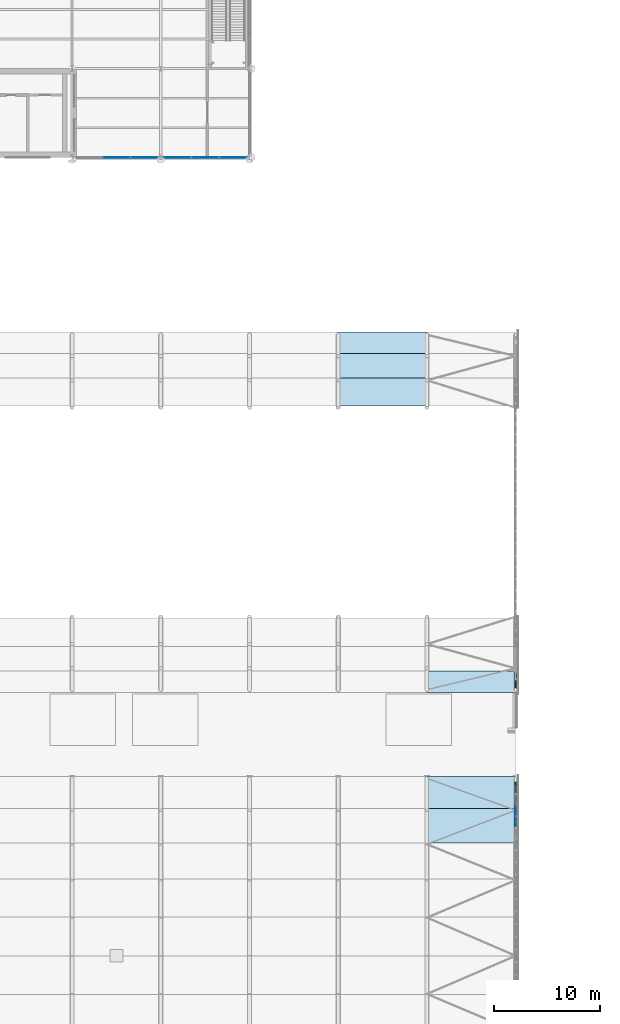
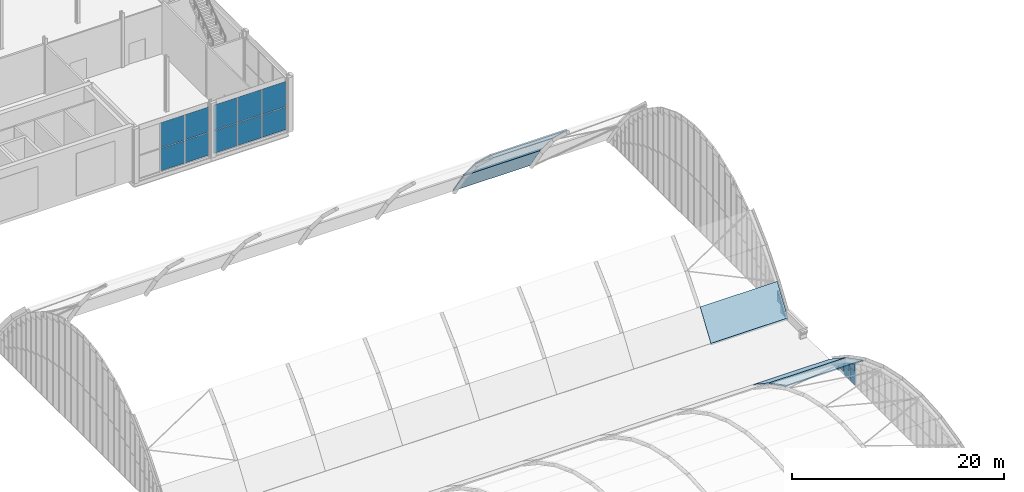
# One storey, part 57 of 77: 18 plates, 6 slabs, 4 elements without a shape of their own.
"""IFC4 building model written with IfcOpenShell, lengths in metres."""

from ifc_helpers import new_model, si_unit, direction, frame, origin, origin_2d, place, context, subcontext, project, spatial, polyline, rectangle, outline, extrude, material, layer, layer_set, type_object, element, aggregate, save


model = new_model("IFC4")

# Units and contexts
model_context = context("Model", 3, precision=1e-05, world=origin(), true_north=direction((0.0, 1.0)))
body_context = subcontext(model_context, "Body", "Model", "MODEL_VIEW")
ifc_project = project(units=[si_unit("LENGTHUNIT", "METRE"), si_unit("AREAUNIT", "SQUARE_METRE"), si_unit("VOLUMEUNIT", "CUBIC_METRE"), si_unit("PLANEANGLEUNIT", "RADIAN"), si_unit("MASSUNIT", "GRAM", prefix="KILO")], contexts=[model_context])

# Site, building, storey
site_placement = place(None, origin())
site = spatial("IfcSite", under=ifc_project, at=site_placement, CompositionType="ELEMENT")
building_placement = place(site_placement, origin())
building = spatial("IfcBuilding", under=site, at=building_placement, Name="Catenary Quay Ferry Terminal", CompositionType="ELEMENT")
storey_placement = place(building_placement, frame((0.0, 0.0, 10.800048828125)))
storey = spatial("IfcBuildingStorey", under=building, at=storey_placement, Name="L02", CompositionType="ELEMENT", Elevation=10.800048828125)

# Curtain wall, plates
ifc_material_1 = material(Name="Aluminium and glass", Category="aluminium")
curtain_wall_type_1 = type_object("IfcCurtainWallType", Name="CWA", PredefinedType="NOTDEFINED", material=ifc_material_1)
curtain_wall_1_placement = place(storey_placement, origin())
curtain_wall_1 = element("IfcCurtainWall", 1, at=curtain_wall_1_placement, inside=storey, type_object=curtain_wall_type_1, Name="Arch arrivals hall curtain wall CW12", PredefinedType="NOTDEFINED")
ifc_material_2 = material(Name="Glass", Category="glass")
ifc_layer_1 = layer(ifc_material_2, 0.035888671875)
ifc_layer_set_1 = layer_set([ifc_layer_1], Name="PN4")
plate_type_1 = type_object("IfcPlateType", Name="PN4", PredefinedType="CURTAIN_PANEL", material=ifc_layer_set_1)
plate_1_placement = place(storey_placement, frame((92.39990234375, 96.708740234375, 0.10009765625), z_axis=(0.0, 0.0, 1.0), x_axis=(0.0, 1.0, 0.0)))
plate_1 = element("IfcPlate", 2, at=plate_1_placement, type_object=plate_type_1, Name="CW12 panel 25.1", PredefinedType="CURTAIN_PANEL", context=body_context, shape_type="SweptSolid", body=[
    extrude(rectangle(XDim=1.013427734375, YDim=0.035888671875, at=origin_2d()), origin(), (0.0, 0.0, 1.0), 1.531494140625),
])
plate_2_placement = place(storey_placement, frame((92.39990234375, 97.76513671875, 0.099853515625), z_axis=(0.0, 0.0, 1.0), x_axis=(0.0, 1.0, 0.0)))
plate_2 = element("IfcPlate", 3, at=plate_2_placement, type_object=plate_type_1, Name="CW12 panel 26.1", PredefinedType="CURTAIN_PANEL", context=body_context, shape_type="SweptSolid", body=[
    extrude(rectangle(XDim=0.979736328125, YDim=0.035888671875, at=origin_2d()), origin(), (0.0, 0.0, 1.0), 0.91748046875),
])

ifc_material_3 = material(Name="Aluminium and glass", Category="aluminium")
curtain_wall_type_2 = type_object("IfcCurtainWallType", Name="CWW2", PredefinedType="NOTDEFINED", material=ifc_material_3)
curtain_wall_2_placement = place(storey_placement, origin())
curtain_wall_2 = element("IfcCurtainWall", 4, at=curtain_wall_2_placement, inside=storey, type_object=curtain_wall_type_2, Name="Wing curtain wall CW142", PredefinedType="NOTDEFINED")
plate_3_placement = place(storey_placement, frame((54.60009765625, 159.60009765625, 0.06005859375), z_axis=(0.0, 0.0, 1.0), x_axis=(1.0, 0.0, 0.0)))
plate_3 = element("IfcPlate", 5, at=plate_3_placement, type_object=plate_type_1, Name="CW142 panel 2.1", PredefinedType="CURTAIN_PANEL", context=body_context, shape_type="SweptSolid", body=[
    extrude(rectangle(XDim=2.5966796875, YDim=0.035888671875, at=origin_2d()), origin(), (0.0, 0.0, 1.0), 2.610107421875),
])
plate_4_placement = place(storey_placement, frame((54.60009765625, 159.60009765625, 2.72998046875), z_axis=(0.0, 0.0, 1.0), x_axis=(1.0, 0.0, 0.0)))
plate_4 = element("IfcPlate", 6, at=plate_4_placement, type_object=plate_type_1, Name="CW142 panel 2.2", PredefinedType="CURTAIN_PANEL", context=body_context, shape_type="SweptSolid", body=[
    extrude(rectangle(XDim=2.5966796875, YDim=0.035888671875, at=origin_2d()), origin(), (0.0, 0.0, 1.0), 2.909912109375),
])
plate_5_placement = place(storey_placement, frame((57.249267578125, 159.60009765625, 0.06005859375), z_axis=(0.0, 0.0, 1.0), x_axis=(1.0, 0.0, 0.0)))
plate_5 = element("IfcPlate", 7, at=plate_5_placement, type_object=plate_type_1, Name="CW142 panel 3.1", PredefinedType="CURTAIN_PANEL", context=body_context, shape_type="SweptSolid", body=[
    extrude(rectangle(XDim=2.561767578125, YDim=0.035888671875, at=origin_2d()), origin(), (0.0, 0.0, 1.0), 2.610107421875),
])
plate_6_placement = place(storey_placement, frame((57.249267578125, 159.60009765625, 2.72998046875), z_axis=(0.0, 0.0, 1.0), x_axis=(1.0, 0.0, 0.0)))
plate_6 = element("IfcPlate", 8, at=plate_6_placement, type_object=plate_type_1, Name="CW142 panel 3.2", PredefinedType="CURTAIN_PANEL", context=body_context, shape_type="SweptSolid", body=[
    extrude(rectangle(XDim=2.561767578125, YDim=0.035888671875, at=origin_2d()), origin(), (0.0, 0.0, 1.0), 2.909912109375),
])
aggregate(curtain_wall_2, [plate_3, plate_4, plate_5, plate_6])

curtain_wall_3_placement = place(storey_placement, origin())
curtain_wall_3 = element("IfcCurtainWall", 9, at=curtain_wall_3_placement, inside=storey, type_object=curtain_wall_type_2, Name="Wing curtain wall CW143", PredefinedType="NOTDEFINED")
plate_7_placement = place(storey_placement, frame((60.350830078125, 159.60009765625, 0.06005859375), z_axis=(0.0, 0.0, 1.0), x_axis=(1.0, 0.0, 0.0)))
plate_7 = element("IfcPlate", 10, at=plate_7_placement, type_object=plate_type_1, Name="CW143 panel 1.1", PredefinedType="CURTAIN_PANEL", context=body_context, shape_type="SweptSolid", body=[
    extrude(rectangle(XDim=2.561767578125, YDim=0.035888671875, at=origin_2d()), origin(), (0.0, 0.0, 1.0), 2.610107421875),
])
plate_8_placement = place(storey_placement, frame((60.350830078125, 159.60009765625, 2.72998046875), z_axis=(0.0, 0.0, 1.0), x_axis=(1.0, 0.0, 0.0)))
plate_8 = element("IfcPlate", 11, at=plate_8_placement, type_object=plate_type_1, Name="CW143 panel 1.2", PredefinedType="CURTAIN_PANEL", context=body_context, shape_type="SweptSolid", body=[
    extrude(rectangle(XDim=2.561767578125, YDim=0.035888671875, at=origin_2d()), origin(), (0.0, 0.0, 1.0), 2.909912109375),
])
plate_9_placement = place(storey_placement, frame((63.0, 159.60009765625, 0.06005859375), z_axis=(0.0, 0.0, 1.0), x_axis=(1.0, 0.0, 0.0)))
plate_9 = element("IfcPlate", 12, at=plate_9_placement, type_object=plate_type_1, Name="CW143 panel 2.1", PredefinedType="CURTAIN_PANEL", context=body_context, shape_type="SweptSolid", body=[
    extrude(rectangle(XDim=2.5966796875, YDim=0.035888671875, at=origin_2d()), origin(), (0.0, 0.0, 1.0), 2.610107421875),
])
plate_10_placement = place(storey_placement, frame((63.0, 159.60009765625, 2.72998046875), z_axis=(0.0, 0.0, 1.0), x_axis=(1.0, 0.0, 0.0)))
plate_10 = element("IfcPlate", 13, at=plate_10_placement, type_object=plate_type_1, Name="CW143 panel 2.2", PredefinedType="CURTAIN_PANEL", context=body_context, shape_type="SweptSolid", body=[
    extrude(rectangle(XDim=2.5966796875, YDim=0.035888671875, at=origin_2d()), origin(), (0.0, 0.0, 1.0), 2.909912109375),
])
plate_11_placement = place(storey_placement, frame((65.649169921875, 159.60009765625, 0.06005859375), z_axis=(0.0, 0.0, 1.0), x_axis=(1.0, 0.0, 0.0)))
plate_11 = element("IfcPlate", 14, at=plate_11_placement, type_object=plate_type_1, Name="CW143 panel 3.1", PredefinedType="CURTAIN_PANEL", context=body_context, shape_type="SweptSolid", body=[
    extrude(rectangle(XDim=2.561767578125, YDim=0.035888671875, at=origin_2d()), origin(), (0.0, 0.0, 1.0), 2.610107421875),
])
plate_12_placement = place(storey_placement, frame((65.649169921875, 159.60009765625, 2.72998046875), z_axis=(0.0, 0.0, 1.0), x_axis=(1.0, 0.0, 0.0)))
plate_12 = element("IfcPlate", 15, at=plate_12_placement, type_object=plate_type_1, Name="CW143 panel 3.2", PredefinedType="CURTAIN_PANEL", context=body_context, shape_type="SweptSolid", body=[
    extrude(rectangle(XDim=2.561767578125, YDim=0.035888671875, at=origin_2d()), origin(), (0.0, 0.0, 1.0), 2.909912109375),
])
aggregate(curtain_wall_3, [plate_7, plate_8, plate_9, plate_10, plate_11, plate_12])

# Plate
ifc_material_4 = material(Name="Ceramic tile facing on insulated backing")
ifc_layer_2 = layer(ifc_material_4, 0.14990234375)
ifc_layer_set_2 = layer_set([ifc_layer_2], Name="PN7")
plate_type_2 = type_object("IfcPlateType", Name="PN7", PredefinedType="CURTAIN_PANEL", material=ifc_layer_set_2)
plate_13_placement = place(storey_placement, frame((92.39990234375, 96.201904296875, 1.7314453125), z_axis=(0.0, 0.0, 1.0), x_axis=(0.0, 1.0, 0.0)))
plate_13 = element("IfcPlate", 16, at=plate_13_placement, type_object=plate_type_2, Name="CW12 spandrel panel 28", PredefinedType="CURTAIN_PANEL", context=body_context, shape_type="SweptSolid", body=[
    extrude(outline(polyline([(0.0, 0.0), (1.013427734375, 0.0), (1.013427734375, 0.35546875), (0.0, 0.88134765625), (0.0, 0.0)])), frame((0.0, 0.074951171875, 0.0), z_axis=(0.0, -1.0, 0.0), x_axis=(1.0, 0.0, 0.0)), (0.0, 0.0, 1.0), 0.14990234375),
])

plate_14_placement = place(storey_placement, frame((92.39990234375, 97.275390625, 1.117431640625), z_axis=(0.0, 0.0, 1.0), x_axis=(0.0, 1.0, 0.0)))
plate_14 = element("IfcPlate", 17, at=plate_14_placement, type_object=plate_type_2, Name="CW12 spandrel panel 29", PredefinedType="CURTAIN_PANEL", context=body_context, shape_type="SweptSolid", body=[
    extrude(outline(polyline([(0.0, 0.0), (0.979736328125, 0.0), (0.979736328125, 0.360107421875), (0.0, 0.9384765625), (0.0, 0.0)])), frame((0.0, 0.074951171875, 0.0), z_axis=(0.0, -1.0, 0.0), x_axis=(1.0, 0.0, 0.0)), (0.0, 0.0, 1.0), 0.14990234375),
])

plate_15_placement = place(storey_placement, frame((92.39990234375, 98.31494140625, 0.446533203125), z_axis=(0.0, 0.0, 1.0), x_axis=(0.0, 1.0, 0.0)))
plate_15 = element("IfcPlate", 18, at=plate_15_placement, type_object=plate_type_2, Name="CW12 spandrel panel 30", PredefinedType="CURTAIN_PANEL", context=body_context, shape_type="SweptSolid", body=[
    extrude(outline(polyline([(0.0, 0.0), (0.946044921875, 0.0), (0.946044921875, 0.35986328125), (0.0, 0.990966796875), (0.0, 0.0)])), frame((0.0, 0.074951171875, 0.0), z_axis=(0.0, -1.0, 0.0), x_axis=(1.0, 0.0, 0.0)), (0.0, 0.0, 1.0), 0.14990234375),
])

plate_16_placement = place(storey_placement, frame((92.39990234375, 99.321044921875, 0.0), z_axis=(0.0, 0.0, 1.0), x_axis=(0.0, 1.0, 0.0)))
plate_16 = element("IfcPlate", 19, at=plate_16_placement, type_object=plate_type_2, Name="CW12 spandrel panel 31", PredefinedType="CURTAIN_PANEL", context=body_context, shape_type="SweptSolid", body=[
    extrude(outline(polyline([(0.0, 0.0), (1.47900390625, 0.0), (1.47900390625, -0.219970703125), (0.0, 0.766357421875), (0.0, 0.0)])), frame((0.0, 0.074951171875, 0.0), z_axis=(0.0, -1.0, 0.0), x_axis=(1.0, 0.0, 0.0)), (0.0, 0.0, 1.0), 0.14990234375),
])

aggregate(curtain_wall_1, [plate_1, plate_13, plate_2, plate_14, plate_15, plate_16])

# Curtain wall, plates
curtain_wall_4_placement = place(storey_placement, origin())
curtain_wall_4 = element("IfcCurtainWall", 20, at=curtain_wall_4_placement, inside=storey, type_object=curtain_wall_type_1, Name="Arch departure hall curtain wall CW21", PredefinedType="NOTDEFINED")
plate_17_placement = place(storey_placement, frame((92.39990234375, 109.34912109375, 0.0), z_axis=(0.0, 0.0, 1.0), x_axis=(0.0, 1.0, 0.0)))
plate_17 = element("IfcPlate", 21, at=plate_17_placement, type_object=plate_type_2, Name="CW21 spandrel panel 1", PredefinedType="CURTAIN_PANEL", context=body_context, shape_type="SweptSolid", body=[
    extrude(outline(polyline([(0.0, 0.0), (0.828369140625, 0.0), (0.828369140625, 1.22119140625), (0.0, 0.0)])), frame((0.0, 0.074951171875, 0.0), z_axis=(0.0, -1.0, 0.0), x_axis=(1.0, 0.0, 0.0)), (0.0, 0.0, 1.0), 0.14990234375),
])
plate_18_placement = place(storey_placement, frame((92.39990234375, 110.237548828125, 0.925537109375), z_axis=(0.0, 0.0, 1.0), x_axis=(0.0, 1.0, 0.0)))
plate_18 = element("IfcPlate", 22, at=plate_18_placement, type_object=plate_type_2, Name="CW21 spandrel panel 2", PredefinedType="CURTAIN_PANEL", context=body_context, shape_type="SweptSolid", body=[
    extrude(outline(polyline([(0.0, 0.0), (0.611572265625, 0.0), (0.611572265625, 1.2861328125), (0.0, 0.384033203125), (0.0, 0.0)])), frame((0.0, 0.074951171875, 0.0), z_axis=(0.0, -1.0, 0.0), x_axis=(1.0, 0.0, 0.0)), (0.0, 0.0, 1.0), 0.14990234375),
])
aggregate(curtain_wall_4, [plate_17, plate_18])

# Slabs
ifc_material_5 = material(Name="Concrete C35/45", Category="concrete")
ifc_layer_3 = layer(ifc_material_5, 0.1201171875)
ifc_layer_set_3 = layer_set([ifc_layer_3], Name="Thin concrete shell roof slab C35/45 120")
slab_type = type_object("IfcSlabType", Name="Thin concrete shell roof slab C35/45 120", PredefinedType="ROOF", material=ifc_layer_set_3)
slab_1_placement = place(storey_placement, frame((75.60009765625, 136.07568359375, 8.44384765625), z_axis=(0.0, 0.683912096655, 0.729564420767), x_axis=(1.0, 0.0, 0.0)))
element("IfcSlab", 23, at=slab_1_placement, inside=storey, type_object=slab_type, Name="Roof shell panel VD-07-10", PredefinedType="ROOF", context=body_context, shape_type="SweptSolid", body=[
    extrude(outline(polyline([(0.0, 0.0), (8.39990234375, 0.0), (8.39990234375, 3.636520773705697), (0.0, 3.636520773705697), (0.0, 0.0)])), origin(), (0.0, 0.683912096655, -0.729564420767), 0.16455078125),
])
slab_2_placement = place(storey_placement, frame((75.60009765625, 138.728759765625, 5.956787109375), z_axis=(0.0, 0.769753119494, 0.638341707105), x_axis=(1.0, 0.0, 0.0)))
element("IfcSlab", 24, at=slab_2_placement, inside=storey, type_object=slab_type, Name="Roof shell panel VD-07-11", PredefinedType="ROOF", context=body_context, shape_type="SweptSolid", body=[
    extrude(outline(polyline([(0.0, 0.0), (8.39990234375, 0.0), (8.39990234375, 3.626492489028447), (0.0, 3.626492489028447), (0.0, 0.0)])), origin(), (0.0, 0.769753119494, -0.638341707105), 0.18798828125),
])
slab_3_placement = place(storey_placement, frame((75.60009765625, 141.043701171875, 3.165283203125), z_axis=(0.0, 0.827617329407, 0.561292754332), x_axis=(1.0, 0.0, 0.0)))
element("IfcSlab", 25, at=slab_3_placement, inside=storey, type_object=slab_type, Name="Roof shell panel VD-07-12", PredefinedType="ROOF", context=body_context, shape_type="SweptSolid", body=[
    extrude(outline(polyline([(0.0, 0.0), (8.39990234375, 0.0), (8.39990234375, 3.605394199381718), (0.0, 3.605394199381718), (0.0, 0.0)])), origin(), (0.0, 0.827617329407, -0.561292754332), 0.2138671875),
])
slab_4_placement = place(storey_placement, frame((84.0, 108.9326171875, 0.181396484375), z_axis=(0.0, -0.827617329407, 0.561292754332), x_axis=(1.0, 0.0, 0.0)))
element("IfcSlab", 26, at=slab_4_placement, inside=storey, type_object=slab_type, Name="Roof shell panel VD-08-01", PredefinedType="ROOF", context=body_context, shape_type="SweptSolid", body=[
    extrude(outline(polyline([(0.0, 0.0), (8.39990234375, 0.0), (8.39990234375, 3.605394199381718), (0.0, 3.605394199381718), (0.0, 0.0)])), origin(), (0.0, -0.827617329407, -0.561292754332), 0.2138671875),
])
slab_5_placement = place(storey_placement, frame((84.0, 94.693115234375, 3.97998046875), z_axis=(0.0, 0.460591277623, 0.887612344989), x_axis=(1.0, 0.0, 0.0)))
element("IfcSlab", 27, at=slab_5_placement, inside=storey, type_object=slab_type, Name="Roof shell panel VA-08-09", PredefinedType="ROOF", context=body_context, shape_type="SweptSolid", body=[
    extrude(outline(polyline([(0.0, 0.0), (8.39990234375, 0.0), (8.39990234375, 3.6653590805888725), (0.0, 3.6653590805888725), (0.0, 0.0)])), origin(), (0.0, 0.460591277623, -0.887612344989), 0.13525390625),
])
slab_6_placement = place(storey_placement, frame((84.0, 97.946533203125, 2.291748046875), z_axis=(0.0, 0.554916543304, 0.831906022317), x_axis=(1.0, 0.0, 0.0)))
element("IfcSlab", 28, at=slab_6_placement, inside=storey, type_object=slab_type, Name="Roof shell panel VA-08-10", PredefinedType="ROOF", context=body_context, shape_type="SweptSolid", body=[
    extrude(outline(polyline([(0.0, 0.0), (8.39990234375, 0.0), (8.39990234375, 3.6455017302345123), (0.0, 3.6455017302345123), (0.0, 0.0)])), origin(), (0.0, 0.554916543304, -0.831906022317), 0.144287109375),
])

save(model, "model.ifc")
